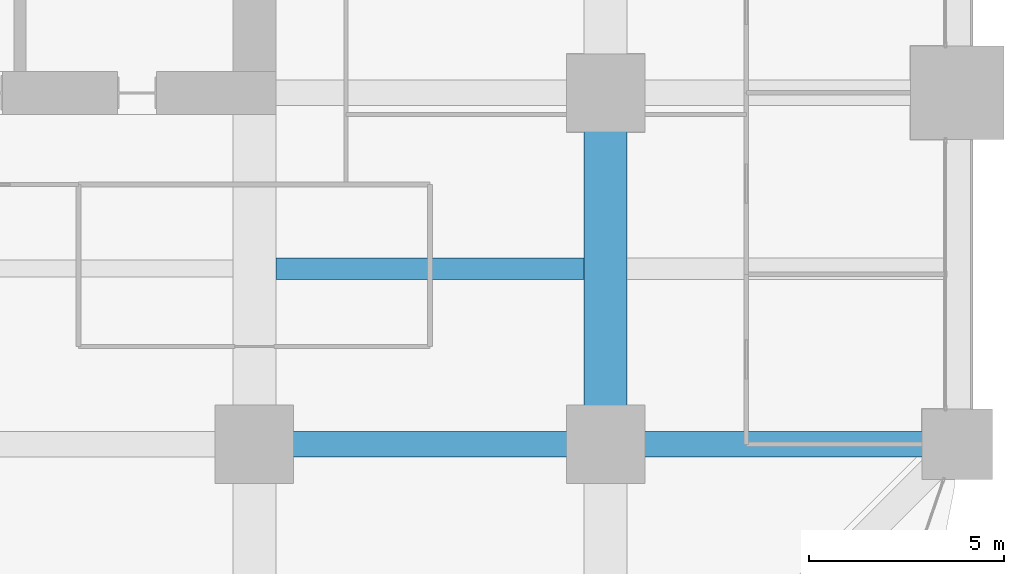
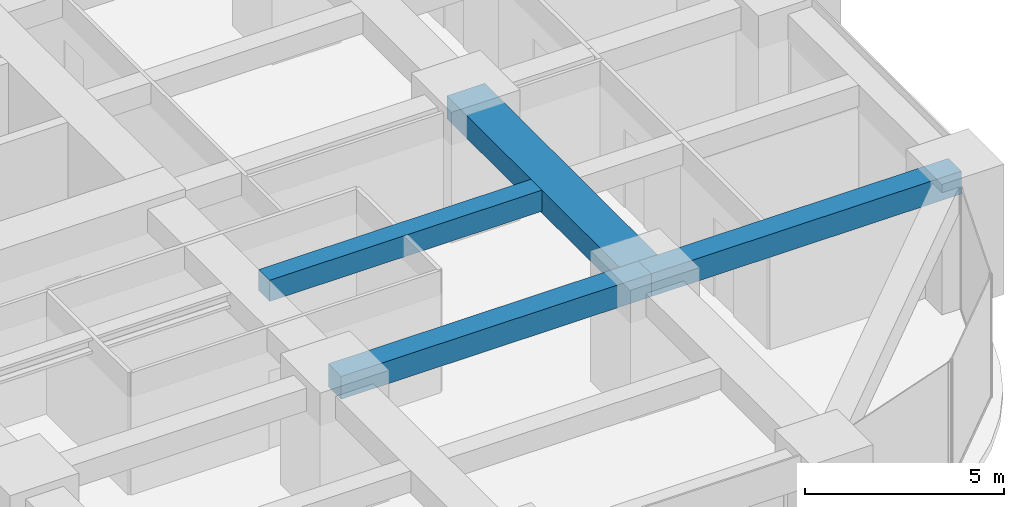
# One storey, part 18 of 41: 4 beams.
"""IFC4 building model written with IfcOpenShell, lengths in metres."""

from ifc_helpers import new_model, si_unit, direction, frame, origin, origin_2d, place, context, subcontext, project, spatial, rectangle, extrude, material, material_profile, profile_set, type_object, element, save


model = new_model("IFC4")

# Units and contexts
model_context = context("Model", 3, precision=1e-05, world=origin(), true_north=direction((0.0, 1.0)))
body_context = subcontext(model_context, "Body", "Model", "MODEL_VIEW")
ifc_project = project(units=[si_unit("LENGTHUNIT", "METRE"), si_unit("AREAUNIT", "SQUARE_METRE"), si_unit("VOLUMEUNIT", "CUBIC_METRE"), si_unit("PLANEANGLEUNIT", "RADIAN"), si_unit("MASSUNIT", "GRAM", prefix="KILO")], contexts=[model_context])

# Site, building, storey
site_placement = place(None, origin())
site = spatial("IfcSite", under=ifc_project, at=site_placement, CompositionType="ELEMENT")
building_placement = place(site_placement, origin())
building = spatial("IfcBuilding", under=site, at=building_placement, Name="Zorevar Civic Tower", CompositionType="ELEMENT")
storey_placement = place(building_placement, frame((0.0, 0.0, 109.0)))
storey = spatial("IfcBuildingStorey", under=building, at=storey_placement, Name="L26", CompositionType="ELEMENT", Elevation=109.0)

# Beams
ifc_material_1 = material(Name="Concrete C50/60", Category="concrete")
ifc_material_profile_1 = material_profile(ifc_material_1, rectangle(XDim=1.10009765625, YDim=0.699951171875, at=origin_2d()), Name="RC 1100x700")
ifc_profile_set_1 = profile_set([ifc_material_profile_1], Name="Concrete C50/60")
beam_type_1 = type_object("IfcBeamType", Name="Beam RC 1100x700", PredefinedType="BEAM", material=ifc_profile_set_1)
beam_1_placement = place(storey_placement, frame((54.0, 9.0, 3.39990234375), z_axis=(0.0, 1.0, 0.0), x_axis=(-1.0, 0.0, 0.0)))
element("IfcBeam", 1, at=beam_1_placement, inside=storey, type_object=beam_type_1, Name="Girder L27", PredefinedType="BEAM", context=body_context, shape_type="SweptSolid", body=[
    extrude(rectangle(XDim=1.10009765625, YDim=0.699951171875, at=origin_2d()), origin(), (0.0, 0.0, 1.0), 9.0),
])
ifc_material_2 = material(Name="Concrete C50/60", Category="concrete")
ifc_material_profile_2 = material_profile(ifc_material_2, rectangle(XDim=0.550048828125, YDim=0.64990234375, at=origin_2d()), Name="RC 550x650")
ifc_profile_set_2 = profile_set([ifc_material_profile_2], Name="Concrete C50/60")
beam_type_2 = type_object("IfcBeamType", Name="Beam RC 550x650", PredefinedType="BEAM", material=ifc_profile_set_2)
beam_2_placement = place(storey_placement, frame((45.550048828125, 13.5, 3.425048828125), z_axis=(1.0, 0.0, 0.0), x_axis=(0.0, 1.0, 0.0)))
element("IfcBeam", 2, at=beam_2_placement, inside=storey, type_object=beam_type_2, Name="Secondary beam L27", PredefinedType="BEAM", context=body_context, shape_type="SweptSolid", body=[
    extrude(rectangle(XDim=0.550048828125, YDim=0.64990234375, at=origin_2d()), origin(), (0.0, 0.0, 1.0), 7.89990234375),
])
ifc_material_3 = material(Name="Concrete C50/60", Category="concrete")
ifc_material_profile_3 = material_profile(ifc_material_3, rectangle(XDim=0.64990234375, YDim=0.699951171875, at=origin_2d()), Name="RC 650x700")
ifc_profile_set_3 = profile_set([ifc_material_profile_3], Name="Concrete C50/60")
beam_type_3 = type_object("IfcBeamType", Name="Beam RC 650x700", PredefinedType="BEAM", material=ifc_profile_set_3)
for number, where, z_axis, x_axis, name in (
    (3, (45.0, 9.0, 3.39990234375), (1.0, 0.0, 0.0), (0.0, 1.0, 0.0), "Girder L27"),
    (4, (54.0, 9.0, 3.39990234375), (1.0, 0.0, 0.0), (0.0, 1.0, 0.0), "Girder L27"),
):
    element("IfcBeam", number, at=place(storey_placement, frame(where, z_axis=z_axis, x_axis=x_axis)), inside=storey, type_object=beam_type_3, Name=name, PredefinedType="BEAM", context=body_context, shape_type="SweptSolid", body=[
        extrude(rectangle(XDim=0.64990234375, YDim=0.699951171875, at=origin_2d()), origin(), (0.0, 0.0, 1.0), 9.0),
    ])

save(model, "model.ifc")
